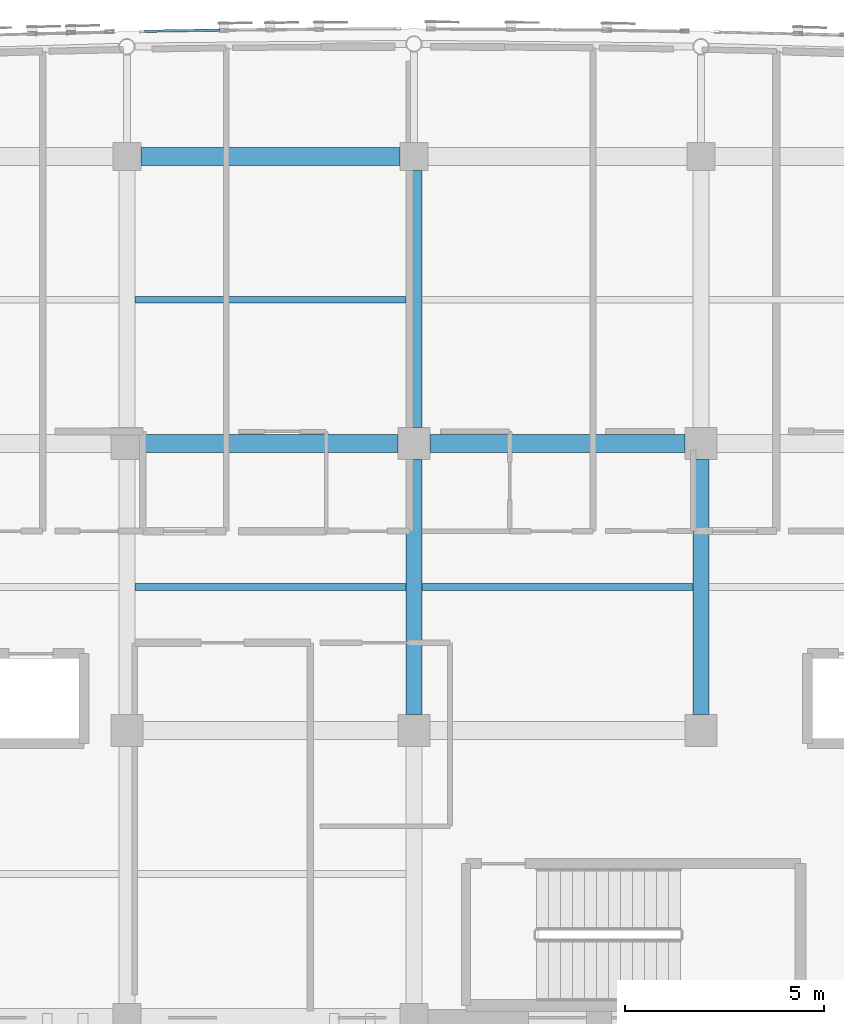
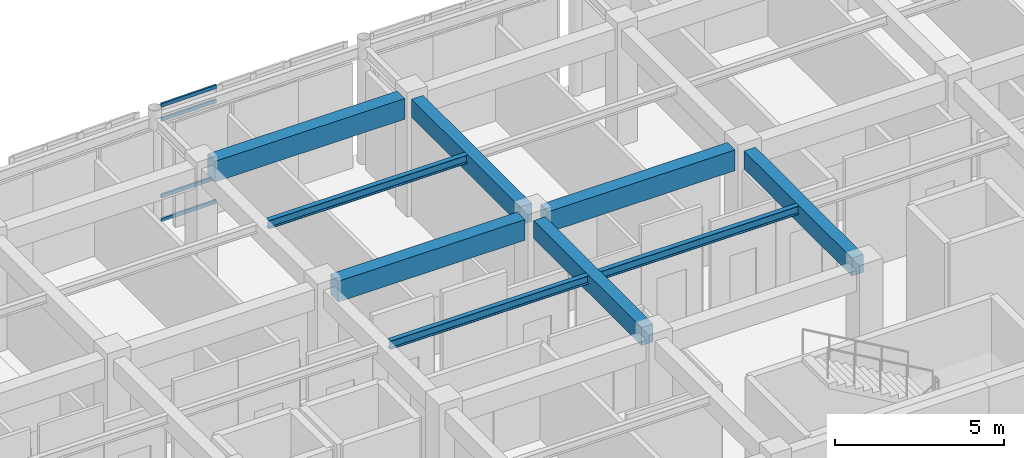
# One storey, part 37 of 106: 9 beams, 4 members, 1 element without a shape of its own.
"""IFC4 building model written with IfcOpenShell, lengths in metres."""

from ifc_helpers import new_model, si_unit, direction, frame, origin, origin_2d, place, context, subcontext, project, spatial, rectangle, hollow_rectangle, i_section, extrude, material, layer, layer_set, material_profile, profile_set, type_object, element, aggregate, save


model = new_model("IFC4")

# Units and contexts
model_context = context("Model", 3, precision=1e-05, world=origin(), true_north=direction((0.0, 1.0)))
body_context = subcontext(model_context, "Body", "Model", "MODEL_VIEW")
ifc_project = project(units=[si_unit("LENGTHUNIT", "METRE"), si_unit("AREAUNIT", "SQUARE_METRE"), si_unit("VOLUMEUNIT", "CUBIC_METRE"), si_unit("PLANEANGLEUNIT", "RADIAN"), si_unit("MASSUNIT", "GRAM", prefix="KILO")], contexts=[model_context])

# Site, building, storey
site_placement = place(None, origin())
site = spatial("IfcSite", under=ifc_project, at=site_placement, CompositionType="ELEMENT")
building_placement = place(site_placement, origin())
building = spatial("IfcBuilding", under=site, at=building_placement, Name="Carrowvane Square Congress Hotel", CompositionType="ELEMENT")
storey_placement = place(building_placement, frame((0.0, 0.0, 10.5)))
storey = spatial("IfcBuildingStorey", under=building, at=storey_placement, Name="L02", CompositionType="ELEMENT", Elevation=10.5)

# Beams
ifc_material_1 = material(Name="Concrete C35/45", Category="concrete")
ifc_material_profile_1 = material_profile(ifc_material_1, rectangle(XDim=0.39990234375, YDim=0.64990234375, at=origin_2d()), Name="RC 400x650")
ifc_profile_set_1 = profile_set([ifc_material_profile_1], Name="Concrete C35/45")
beam_type_1 = type_object("IfcBeamType", Name="BM-RC-400x650", PredefinedType="BEAM", material=ifc_profile_set_1)
beam_1_placement = place(storey_placement, frame((98.0, 99.39990234375, 3.89501953125), z_axis=(0.0, 1.0, 0.0), x_axis=(-1.0, 0.0, 0.0)))
element("IfcBeam", 1, at=beam_1_placement, inside=storey, type_object=beam_type_1, Name="L03 girder 13/P-Q", PredefinedType="BEAM", context=body_context, shape_type="SweptSolid", body=[
    extrude(rectangle(XDim=0.39990234375, YDim=0.64990234375, at=origin_2d()), origin(), (0.0, 0.0, 1.0), 6.400146484375),
])
beam_2_placement = place(storey_placement, frame((98.0, 106.60009765625, 3.89501953125), z_axis=(0.0, 1.0, 0.0), x_axis=(-1.0, 0.0, 0.0)))
element("IfcBeam", 2, at=beam_2_placement, inside=storey, type_object=beam_type_1, Name="L03 girder 13/Q-R", PredefinedType="BEAM", context=body_context, shape_type="SweptSolid", body=[
    extrude(rectangle(XDim=0.39990234375, YDim=0.64990234375, at=origin_2d()), origin(), (0.0, 0.0, 1.0), 6.449951171875),
])
beam_3_placement = place(storey_placement, frame((105.199951171875, 99.39990234375, 3.89501953125), z_axis=(0.0, 1.0, 0.0), x_axis=(-1.0, 0.0, 0.0)))
element("IfcBeam", 3, at=beam_3_placement, inside=storey, type_object=beam_type_1, Name="L03 girder 14/P-Q", PredefinedType="BEAM", context=body_context, shape_type="SweptSolid", body=[
    extrude(rectangle(XDim=0.39990234375, YDim=0.64990234375, at=origin_2d()), origin(), (0.0, 0.0, 1.0), 6.400146484375),
])
ifc_material_2 = material(Name="Concrete C35/45", Category="concrete")
ifc_material_profile_2 = material_profile(ifc_material_2, rectangle(XDim=0.449951171875, YDim=0.75, at=origin_2d()), Name="RC 450x750")
ifc_profile_set_2 = profile_set([ifc_material_profile_2], Name="Concrete C35/45")
beam_type_2 = type_object("IfcBeamType", Name="BM-RC-450x750", PredefinedType="USERDEFINED", material=ifc_profile_set_2)
for number, where, z_axis, x_axis, name in (
    (4, (91.199951171875, 106.199951171875, 3.844970703125), (1.0, 0.0, 0.0), (0.0, 1.0, 0.0), "L03 girder Q/12-13"),
    (5, (98.39990234375, 106.199951171875, 3.844970703125), (1.0, 0.0, 0.0), (0.0, 1.0, 0.0), "L03 girder Q/13-14"),
):
    element("IfcBeam", number, at=place(storey_placement, frame(where, z_axis=z_axis, x_axis=x_axis)), inside=storey, type_object=beam_type_2, Name=name, ObjectType="GIRDER", PredefinedType="USERDEFINED", context=body_context, shape_type="SweptSolid", body=[
        extrude(rectangle(XDim=0.449951171875, YDim=0.75, at=origin_2d()), origin(), (0.0, 0.0, 1.0), 6.400146484375),
    ])
beam_4_placement = place(storey_placement, frame((91.14990234375, 113.39990234375, 3.844970703125), z_axis=(1.0, 0.0, 0.0), x_axis=(0.0, 1.0, 0.0)))
element("IfcBeam", 6, at=beam_4_placement, inside=storey, type_object=beam_type_2, Name="L03 girder R/12-13", ObjectType="GIRDER", PredefinedType="USERDEFINED", context=body_context, shape_type="SweptSolid", body=[
    extrude(rectangle(XDim=0.449951171875, YDim=0.75, at=origin_2d()), origin(), (0.0, 0.0, 1.0), 6.5),
])
ifc_material_3 = material(Name="Steel S355", Category="steel")
ifc_material_profile_3 = material_profile(ifc_material_3, i_section(OverallWidth=0.165771484375, OverallDepth=0.306640625, WebThickness=0.006591796875, FlangeThickness=0.01171875, FilletRadius=0.0087890625, at=origin_2d()), Name="UKB 305x165x46")
ifc_profile_set_3 = profile_set([ifc_material_profile_3], Name="Steel S355")
beam_type_3 = type_object("IfcBeamType", Name="BM-ST-UKB305", PredefinedType="JOIST", material=ifc_profile_set_3)
for number, where, z_axis, x_axis, name in (
    (7, (91.0, 102.60009765625, 4.066650390625), (1.0, 0.0, 0.0), (0.0, 1.0, 0.0), "L03 secondary joist 12-13"),
    (8, (91.0, 109.800048828125, 4.066650390625), (1.0, 0.0, 0.0), (0.0, 1.0, 0.0), "L03 secondary joist 12-13"),
    (9, (98.199951171875, 102.60009765625, 4.066650390625), (1.0, 0.0, 0.0), (0.0, 1.0, 0.0), "L03 secondary joist 13-14"),
):
    element("IfcBeam", number, at=place(storey_placement, frame(where, z_axis=z_axis, x_axis=x_axis)), inside=storey, type_object=beam_type_3, Name=name, PredefinedType="JOIST", context=body_context, shape_type="SweptSolid", body=[
        extrude(i_section(OverallWidth=0.165771484375, OverallDepth=0.306640625, WebThickness=0.006591796875, FlangeThickness=0.01171875, FilletRadius=0.0087890625, at=origin_2d()), origin(), (0.0, 0.0, 1.0), 6.800048828125),
    ])

# Curtain wall, members
ifc_material_4 = material(Name="Anodised aluminium", Category="aluminium")
ifc_layer = layer(ifc_material_4, 0.162109375)
ifc_layer_set = layer_set([ifc_layer], Name="Anodised aluminium")
curtain_wall_type = type_object("IfcCurtainWallType", Name="CW-SYS-1", PredefinedType="NOTDEFINED", material=ifc_layer_set)
curtain_wall_placement = place(storey_placement, origin())
curtain_wall = element("IfcCurtainWall", 10, at=curtain_wall_placement, inside=storey, type_object=curtain_wall_type, Name="L02 unitised curtain wall 152", PredefinedType="NOTDEFINED")
ifc_material_5 = material(Name="Anodised aluminium", Category="aluminium")
ifc_material_profile_4 = material_profile(ifc_material_5, hollow_rectangle(XDim=0.06005859375, YDim=0.1298828125, WallThickness=0.00390625, at=origin_2d()), Name="CW-TR 60x130x4")
ifc_profile_set_4 = profile_set([ifc_material_profile_4], Name="Anodised aluminium")
member_type = type_object("IfcMemberType", Name="CW-TRN-1", PredefinedType="USERDEFINED", material=ifc_profile_set_4)
member_1_placement = place(storey_placement, frame((91.237548828125, 116.536865234375, 0.030029296875), z_axis=(0.999869284212, 0.016168317481, 0.0), x_axis=(-0.016168317481, 0.999869284212, 0.0)))
member_1 = element("IfcMember", 11, at=member_1_placement, type_object=member_type, Name="CW-1 transom 1.1", ObjectType="TRANSOM", PredefinedType="USERDEFINED", context=body_context, shape_type="SweptSolid", body=[
    extrude(hollow_rectangle(XDim=0.06005859375, YDim=0.1298828125, WallThickness=0.00390625, at=origin_2d()), origin(), (0.0, 0.0, 1.0), 1.902587890625),
])
member_2_placement = place(storey_placement, frame((91.237548828125, 116.536865234375, 0.89990234375), z_axis=(0.999869284212, 0.016168317481, 0.0), x_axis=(-0.016168317481, 0.999869284212, 0.0)))
member_2 = element("IfcMember", 12, at=member_2_placement, type_object=member_type, Name="CW-1 transom 1.2", ObjectType="TRANSOM", PredefinedType="USERDEFINED", context=body_context, shape_type="SweptSolid", body=[
    extrude(hollow_rectangle(XDim=0.06005859375, YDim=0.1298828125, WallThickness=0.00390625, at=origin_2d()), origin(), (0.0, 0.0, 1.0), 1.902587890625),
])
member_3_placement = place(storey_placement, frame((91.237548828125, 116.536865234375, 3.669921875), z_axis=(0.999869284212, 0.016168317481, 0.0), x_axis=(-0.016168317481, 0.999869284212, 0.0)))
member_3 = element("IfcMember", 13, at=member_3_placement, type_object=member_type, Name="CW-1 transom 1.3", ObjectType="TRANSOM", PredefinedType="USERDEFINED", context=body_context, shape_type="SweptSolid", body=[
    extrude(hollow_rectangle(XDim=0.06005859375, YDim=0.1298828125, WallThickness=0.00390625, at=origin_2d()), origin(), (0.0, 0.0, 1.0), 1.902587890625),
])
member_4_placement = place(storey_placement, frame((91.237548828125, 116.536865234375, 4.18994140625), z_axis=(0.999869284212, 0.016168317481, 0.0), x_axis=(-0.016168317481, 0.999869284212, 0.0)))
member_4 = element("IfcMember", 14, at=member_4_placement, type_object=member_type, Name="CW-1 transom 1.4", ObjectType="TRANSOM", PredefinedType="USERDEFINED", context=body_context, shape_type="SweptSolid", body=[
    extrude(hollow_rectangle(XDim=0.06005859375, YDim=0.1298828125, WallThickness=0.00390625, at=origin_2d()), origin(), (0.0, 0.0, 1.0), 1.902587890625),
])
aggregate(curtain_wall, [member_1, member_2, member_3, member_4])

save(model, "model.ifc")
